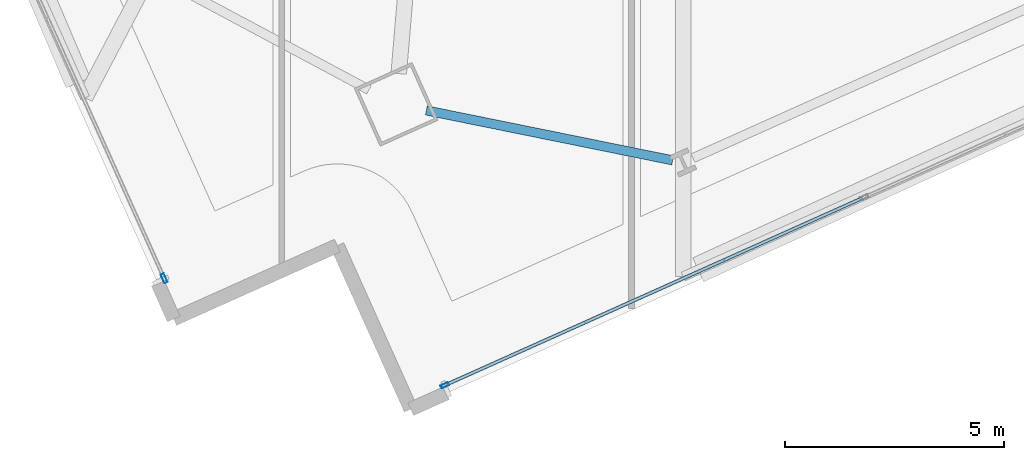
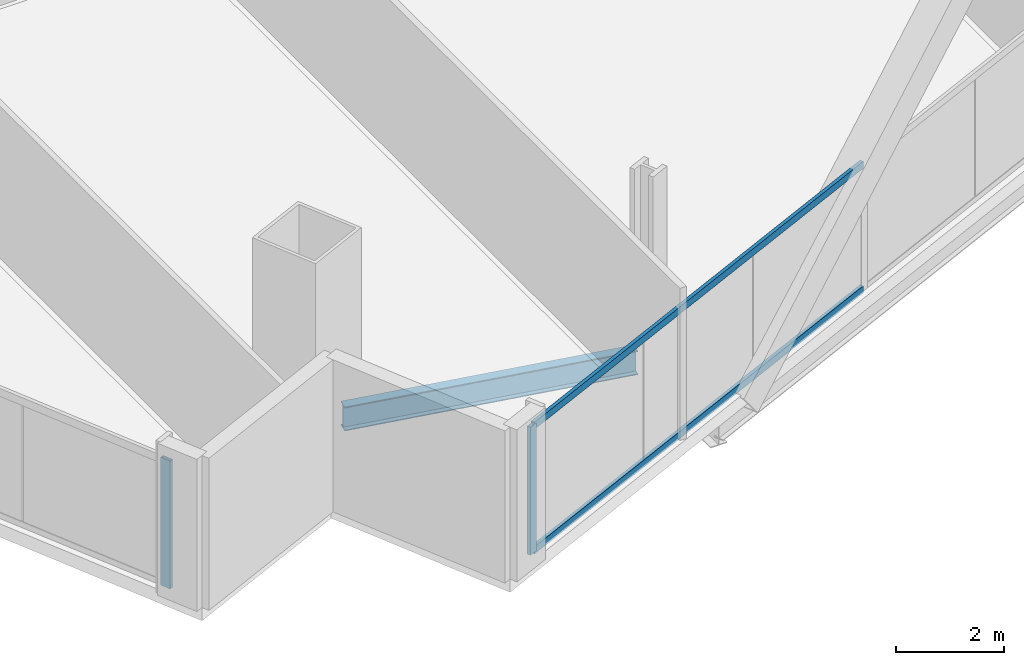
# One storey, part 3 of 38: 4 members, 1 beam, 2 elements without a shape of their own.
"""IFC4 building model written with IfcOpenShell, lengths in metres."""

from ifc_helpers import new_model, si_unit, direction, frame, origin, origin_2d, place, context, subcontext, project, spatial, hollow_rectangle, i_section, extrude, material, material_profile, profile_set, type_object, element, aggregate, save


model = new_model("IFC4")

# Units and contexts
model_context = context("Model", 3, precision=1e-05, world=origin(), true_north=direction((0.0, 1.0)))
body_context = subcontext(model_context, "Body", "Model", "MODEL_VIEW")
ifc_project = project(units=[si_unit("LENGTHUNIT", "METRE"), si_unit("AREAUNIT", "SQUARE_METRE"), si_unit("VOLUMEUNIT", "CUBIC_METRE"), si_unit("PLANEANGLEUNIT", "RADIAN"), si_unit("MASSUNIT", "GRAM", prefix="KILO")], contexts=[model_context])

# Site, building, storey
site_placement = place(None, origin())
site = spatial("IfcSite", under=ifc_project, at=site_placement, CompositionType="ELEMENT")
building_placement = place(site_placement, origin())
building = spatial("IfcBuilding", under=site, at=building_placement, Name="Haldenkirk Collegiate Tower", CompositionType="ELEMENT")
storey_placement = place(building_placement, frame((0.0, 0.0, 109.199951171875)))
storey = spatial("IfcBuildingStorey", under=building, at=storey_placement, Name="L26", CompositionType="ELEMENT", Elevation=109.199951171875)

# Beam
ifc_material_1 = material(Name="Steel ASTM A992 Grade 50", Category="steel")
ifc_material_profile_1 = material_profile(ifc_material_1, i_section(OverallWidth=0.2119140625, OverallDepth=0.5439453125, WebThickness=0.01318359375, FlangeThickness=0.021240234375, at=origin_2d()), Name="W21X83")
ifc_profile_set_1 = profile_set([ifc_material_profile_1], Name="Steel ASTM A992 Grade 50")
beam_type = type_object("IfcBeamType", Name="BM-SPANDREL-W21X83", PredefinedType="SPANDREL", material=ifc_profile_set_1)
beam_placement = place(storey_placement, frame((26.3076171875, 1.477783203125, -0.572021484375), z_axis=(0.980077587146, -0.19861501246, 0.0), x_axis=(0.19861501246, 0.980077587146, 0.0)))
element("IfcBeam", 1, at=beam_placement, inside=storey, type_object=beam_type, Name="L26 perimeter spandrel beam 01", PredefinedType="SPANDREL", context=body_context, shape_type="SweptSolid", body=[
    extrude(i_section(OverallWidth=0.2119140625, OverallDepth=0.5439453125, WebThickness=0.01318359375, FlangeThickness=0.021240234375, at=origin_2d()), origin(), (0.0, 0.0, 1.0), 5.747802734375),
])

# Curtain wall, member
ifc_material_2 = material(Name="Anodised architectural bronze aluminium", Category="aluminium")
curtain_wall_type_1 = type_object("IfcCurtainWallType", Name="CW-SYS2-CONCAVE", PredefinedType="USERDEFINED", material=ifc_material_2)
curtain_wall_1_placement = place(storey_placement, origin())
curtain_wall_1 = element("IfcCurtainWall", 2, at=curtain_wall_1_placement, inside=storey, type_object=curtain_wall_type_1, Name="L26 South concave recessed bronze-anodised curtain wall", ObjectType="UNITISED CURTAIN WALL", PredefinedType="USERDEFINED")
ifc_material_profile_2 = material_profile(ifc_material_2, hollow_rectangle(XDim=0.074951171875, YDim=0.18994140625, WallThickness=0.0048828125, at=origin_2d()), Name="CW-MUL-02")
ifc_profile_set_2 = profile_set([ifc_material_profile_2], Name="Anodised architectural bronze aluminium")
member_type_1 = type_object("IfcMemberType", Name="CW-MUL-02", PredefinedType="MULLION", material=ifc_profile_set_2)
member_1_placement = place(storey_placement, frame((26.73095703125, -4.808837890625, 0.0), z_axis=(0.0, 0.0, 1.0), x_axis=(0.409127344707, -0.912477296053, 0.0)))
member_1 = element("IfcMember", 3, at=member_1_placement, type_object=member_type_1, Name="CW-02 mullion 5", PredefinedType="MULLION", context=body_context, shape_type="SweptSolid", body=[
    extrude(hollow_rectangle(XDim=0.074951171875, YDim=0.18994140625, WallThickness=0.0048828125, at=origin_2d()), origin(), (0.0, 0.0, 1.0), 2.901123046875),
])

curtain_wall_type_2 = type_object("IfcCurtainWallType", Name="CW-SYS1-CONVEX-LOW", PredefinedType="USERDEFINED", material=ifc_material_2)
curtain_wall_2_placement = place(storey_placement, origin())
curtain_wall_2 = element("IfcCurtainWall", 4, at=curtain_wall_2_placement, inside=storey, type_object=curtain_wall_type_2, Name="L26 Lower tower convex bronze-framed unitised curtain wall", ObjectType="UNITISED CURTAIN WALL", PredefinedType="USERDEFINED")
ifc_material_profile_3 = material_profile(ifc_material_2, hollow_rectangle(XDim=0.080078125, YDim=0.219970703125, WallThickness=0.0048828125, at=origin_2d()), Name="CW-MUL-1A")
ifc_profile_set_3 = profile_set([ifc_material_profile_3], Name="Anodised architectural bronze aluminium")
member_type_2 = type_object("IfcMemberType", Name="CW-MUL-1A", PredefinedType="MULLION", material=ifc_profile_set_3)
member_2_placement = place(storey_placement, frame((20.31005859375, -2.361572265625, 0.0), z_axis=(0.0, 0.0, 1.0), x_axis=(-0.912477862361, -0.409126081669, 0.0)))
member_2 = element("IfcMember", 5, at=member_2_placement, type_object=member_type_2, Name="CW-1A mullion 1", PredefinedType="MULLION", context=body_context, shape_type="SweptSolid", body=[
    extrude(hollow_rectangle(XDim=0.080078125, YDim=0.219970703125, WallThickness=0.0048828125, at=origin_2d()), origin(), (0.0, 0.0, 1.0), 2.901123046875),
])
aggregate(curtain_wall_2, [member_2])

# Member
ifc_material_profile_4 = material_profile(ifc_material_2, hollow_rectangle(XDim=0.074951171875, YDim=0.159912109375, WallThickness=0.0048828125, at=origin_2d()), Name="CW-TRN-02")
ifc_profile_set_4 = profile_set([ifc_material_profile_4], Name="Anodised architectural bronze aluminium")
member_type_3 = type_object("IfcMemberType", Name="CW-TRN-02", PredefinedType="USERDEFINED", material=ifc_profile_set_4)
member_3_placement = place(storey_placement, frame((36.2890625, -0.523193359375, 0.03759765625), z_axis=(-0.912476504931, -0.409129109145, 0.0), x_axis=(0.409129109145, -0.912476504931, 0.0)))
member_3 = element("IfcMember", 6, at=member_3_placement, type_object=member_type_3, Name="CW-02 transom 4.1", ObjectType="TRANSOM", PredefinedType="USERDEFINED", context=body_context, shape_type="SweptSolid", body=[
    extrude(hollow_rectangle(XDim=0.074951171875, YDim=0.159912109375, WallThickness=0.0048828125, at=origin_2d()), origin(), (0.0, 0.0, 1.0), 10.4375),
])

member_4_placement = place(storey_placement, frame((36.2890625, -0.523193359375, 2.863525390625), z_axis=(-0.912476504931, -0.409129109145, 0.0), x_axis=(0.409129109145, -0.912476504931, 0.0)))
member_4 = element("IfcMember", 7, at=member_4_placement, type_object=member_type_3, Name="CW-02 transom 4.2", ObjectType="TRANSOM", PredefinedType="USERDEFINED", context=body_context, shape_type="SweptSolid", body=[
    extrude(hollow_rectangle(XDim=0.074951171875, YDim=0.159912109375, WallThickness=0.0048828125, at=origin_2d()), origin(), (0.0, 0.0, 1.0), 10.4375),
])

aggregate(curtain_wall_1, [member_1, member_3, member_4])

save(model, "model.ifc")
